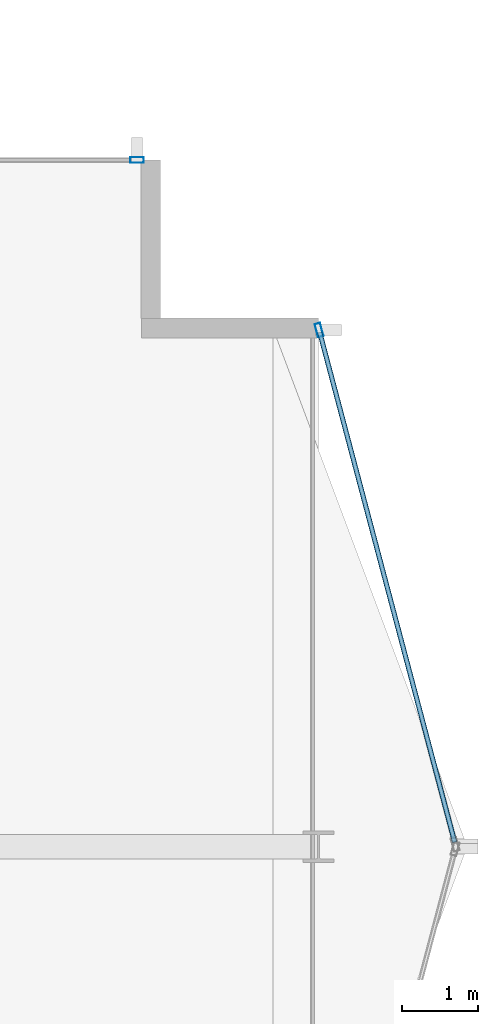
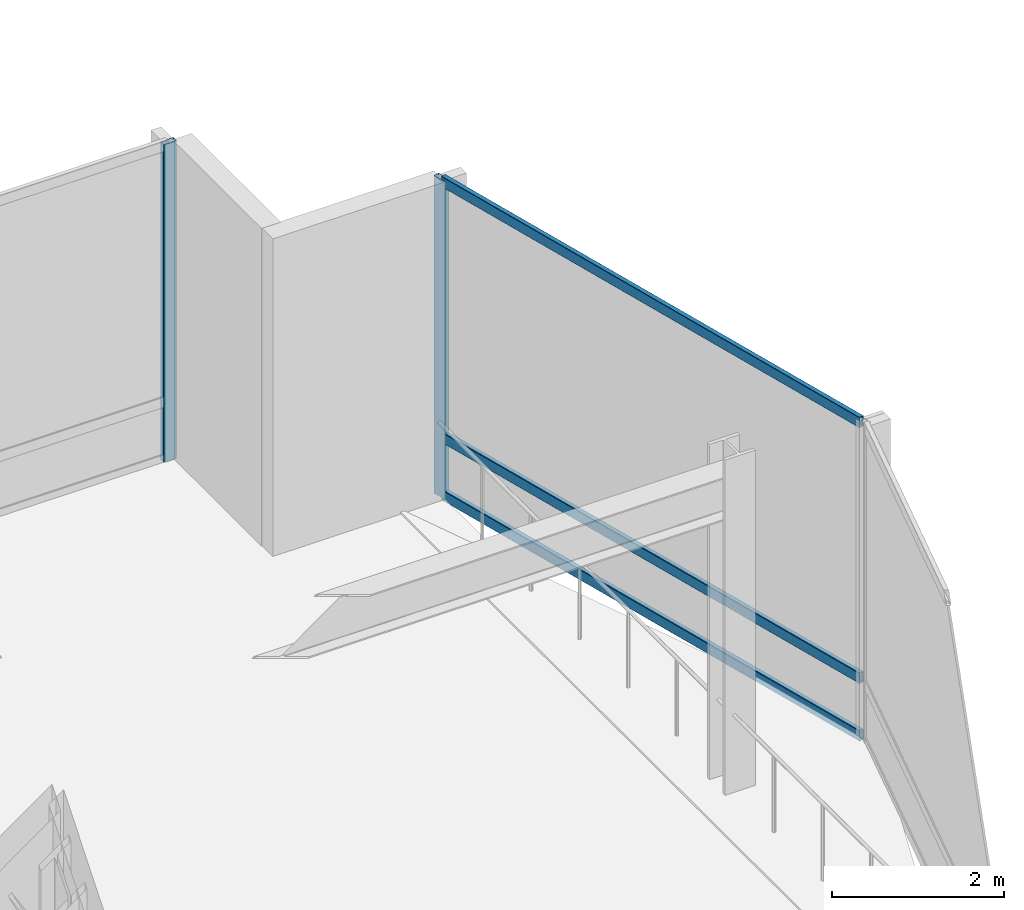
# One storey, part 14 of 30: 5 members, 2 elements without a shape of their own.
"""IFC4 building model written with IfcOpenShell, lengths in metres."""

from ifc_helpers import new_model, si_unit, direction, frame, origin, origin_2d, place, context, subcontext, project, spatial, hollow_rectangle, extrude, material, layer, layer_set, material_profile, profile_set, type_object, element, aggregate, save


model = new_model("IFC4")

# Units and contexts
model_context = context("Model", 3, precision=1e-05, world=origin(), true_north=direction((0.0, 1.0)))
body_context = subcontext(model_context, "Body", "Model", "MODEL_VIEW")
ifc_project = project(units=[si_unit("LENGTHUNIT", "METRE"), si_unit("AREAUNIT", "SQUARE_METRE"), si_unit("VOLUMEUNIT", "CUBIC_METRE"), si_unit("PLANEANGLEUNIT", "RADIAN"), si_unit("MASSUNIT", "GRAM", prefix="KILO")], contexts=[model_context])

# Site, building, storey
site_placement = place(None, origin())
site = spatial("IfcSite", under=ifc_project, at=site_placement, CompositionType="ELEMENT")
building_placement = place(site_placement, origin())
building = spatial("IfcBuilding", under=site, at=building_placement, Name="Solvaryn Broadcast Tower", CompositionType="ELEMENT")
storey_placement = place(building_placement, frame((0.0, 0.0, 196.39990234375)))
storey = spatial("IfcBuildingStorey", under=building, at=storey_placement, Name="L49", CompositionType="ELEMENT", Elevation=196.39990234375)

# Curtain wall, member
ifc_material_1 = material(Name="Aluminium and Terracotta Unitised Curtain Wall", Category="masonry")
ifc_layer = layer(ifc_material_1, 0.199951171875)
ifc_layer_set = layer_set([ifc_layer], Name="CW-SYS2-LOWMID")
curtain_wall_type = type_object("IfcCurtainWallType", Name="CW-SYS2-LOWMID", PredefinedType="NOTDEFINED", material=ifc_layer_set)
curtain_wall_1_placement = place(storey_placement, origin())
curtain_wall_1 = element("IfcCurtainWall", 1, at=curtain_wall_1_placement, inside=storey, type_object=curtain_wall_type, Name="L49 Curtain Wall ET1", PredefinedType="NOTDEFINED")
ifc_material_2 = material(Name="Anodised Aluminium 6063-T6", Category="aluminium")
ifc_material_profile_1 = material_profile(ifc_material_2, hollow_rectangle(XDim=0.074951171875, YDim=0.179931640625, WallThickness=0.00390625, InnerFilletRadius=0.00390625, OuterFilletRadius=0.008056640625, at=origin_2d()))
ifc_profile_set_1 = profile_set([ifc_material_profile_1], Name="Anodised Aluminium 6063-T6")
member_type_1 = type_object("IfcMemberType", Name="CW-MUL-180", PredefinedType="MULLION", material=ifc_profile_set_1)
member_1_placement = place(storey_placement, frame((54.007568359375, 24.77099609375, 0.0), z_axis=(0.0, 0.0, 1.0), x_axis=(0.966705227863, 0.25589256031, 0.0)))
member_1 = element("IfcMember", 2, at=member_1_placement, type_object=member_type_1, Name="CWS2 mullion 1", PredefinedType="MULLION", context=body_context, shape_type="SweptSolid", body=[
    extrude(hollow_rectangle(XDim=0.074951171875, YDim=0.179931640625, WallThickness=0.00390625, InnerFilletRadius=0.00390625, OuterFilletRadius=0.008056640625, at=origin_2d()), origin(), (0.0, 0.0, 1.0), 4.52001953125),
])

curtain_wall_2_placement = place(storey_placement, origin())
curtain_wall_2 = element("IfcCurtainWall", 3, at=curtain_wall_2_placement, inside=storey, type_object=curtain_wall_type, Name="L49 Curtain Wall IH", PredefinedType="NOTDEFINED")
member_2_placement = place(storey_placement, frame((51.6201171875, 27.0, 0.0), z_axis=(0.0, 0.0, 1.0), x_axis=(0.0, 1.0, 0.0)))
member_2 = element("IfcMember", 4, at=member_2_placement, type_object=member_type_1, Name="CWS2 mullion 2", PredefinedType="MULLION", context=body_context, shape_type="SweptSolid", body=[
    extrude(hollow_rectangle(XDim=0.074951171875, YDim=0.179931640625, WallThickness=0.00390625, InnerFilletRadius=0.00390625, OuterFilletRadius=0.008056640625, at=origin_2d()), origin(), (0.0, 0.0, 1.0), 4.52001953125),
])
aggregate(curtain_wall_2, [member_2])

# Member
ifc_material_3 = material(Name="Anodised Aluminium 6063-T6", Category="aluminium")
ifc_material_profile_2 = material_profile(ifc_material_3, hollow_rectangle(XDim=0.06494140625, YDim=0.14990234375, WallThickness=0.00390625, InnerFilletRadius=0.00390625, OuterFilletRadius=0.008056640625, at=origin_2d()))
ifc_profile_set_2 = profile_set([ifc_material_profile_2], Name="Anodised Aluminium 6063-T6")
member_type_2 = type_object("IfcMemberType", Name="CW-TRN-150", PredefinedType="USERDEFINED", material=ifc_profile_set_2)
member_3_placement = place(storey_placement, frame((54.015380859375, 24.741943359375, 0.030029296875), z_axis=(0.255897413051, -0.966703943301, 0.0), x_axis=(0.966703943301, 0.255897413051, 0.0)))
member_3 = element("IfcMember", 5, at=member_3_placement, type_object=member_type_2, Name="CWS2 transom 1.1", ObjectType="TRANSOM", PredefinedType="USERDEFINED", context=body_context, shape_type="SweptSolid", body=[
    extrude(hollow_rectangle(XDim=0.06494140625, YDim=0.14990234375, WallThickness=0.00390625, InnerFilletRadius=0.00390625, OuterFilletRadius=0.008056640625, at=origin_2d()), origin(), (0.0, 0.0, 1.0), 6.9140625),
])

member_4_placement = place(storey_placement, frame((54.015380859375, 24.741943359375, 0.85009765625), z_axis=(0.255897413051, -0.966703943301, 0.0), x_axis=(0.966703943301, 0.255897413051, 0.0)))
member_4 = element("IfcMember", 6, at=member_4_placement, type_object=member_type_2, Name="CWS2 transom 1.2", ObjectType="TRANSOM", PredefinedType="USERDEFINED", context=body_context, shape_type="SweptSolid", body=[
    extrude(hollow_rectangle(XDim=0.06494140625, YDim=0.14990234375, WallThickness=0.00390625, InnerFilletRadius=0.00390625, OuterFilletRadius=0.008056640625, at=origin_2d()), origin(), (0.0, 0.0, 1.0), 6.9140625),
])

member_5_placement = place(storey_placement, frame((54.015380859375, 24.741943359375, 4.489990234375), z_axis=(0.255897413051, -0.966703943301, 0.0), x_axis=(0.966703943301, 0.255897413051, 0.0)))
member_5 = element("IfcMember", 7, at=member_5_placement, type_object=member_type_2, Name="CWS2 transom 1.3", ObjectType="TRANSOM", PredefinedType="USERDEFINED", context=body_context, shape_type="SweptSolid", body=[
    extrude(hollow_rectangle(XDim=0.06494140625, YDim=0.14990234375, WallThickness=0.00390625, InnerFilletRadius=0.00390625, OuterFilletRadius=0.008056640625, at=origin_2d()), origin(), (0.0, 0.0, 1.0), 6.9140625),
])

aggregate(curtain_wall_1, [member_1, member_3, member_4, member_5])

save(model, "model.ifc")
